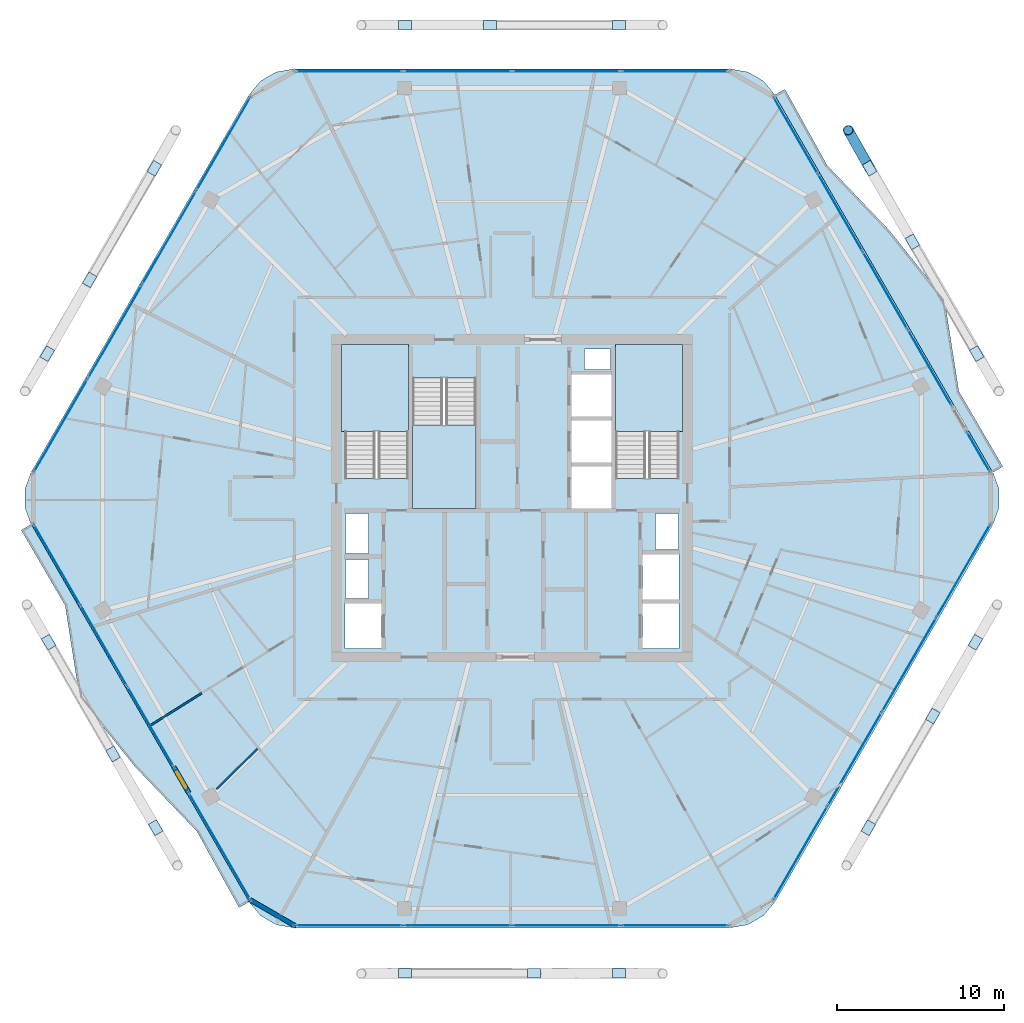
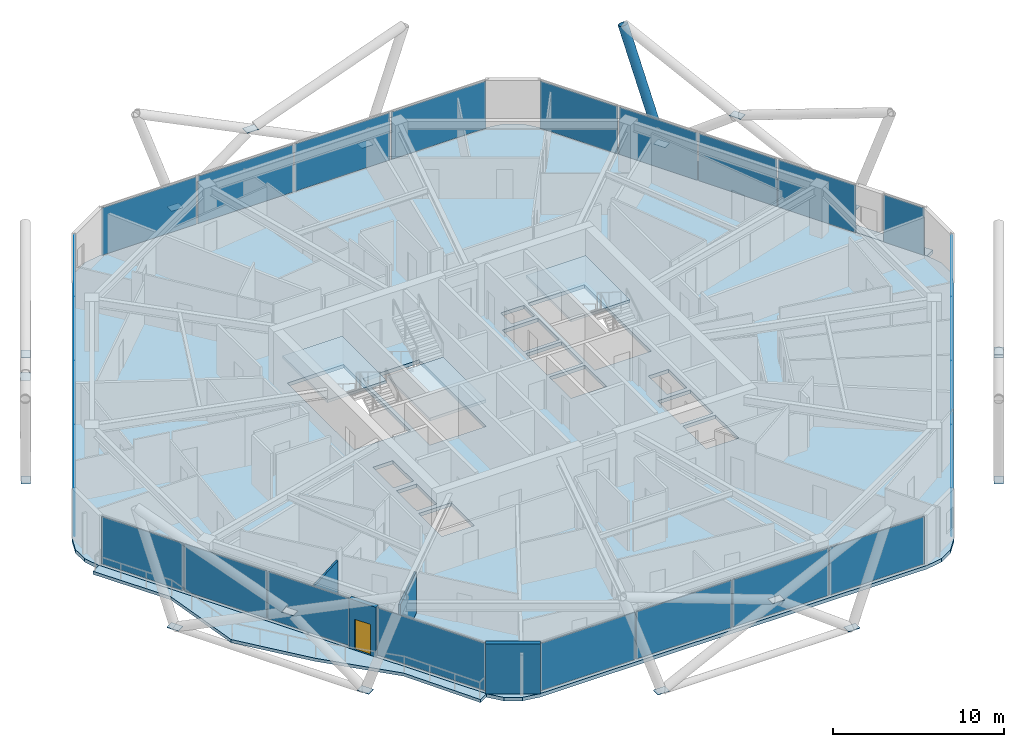
# One storey, part 19 of 28: 43 plates, 6 slabs, 4 walls, 1 door, 1 member, 1 opening, 11 elements without a shape of their own.
"""IFC4 building model written with IfcOpenShell, lengths in metres."""

from ifc_helpers import new_model, si_unit, direction, frame, frame_2d, origin, origin_2d, place, context, subcontext, project, spatial, polyline, rectangle, hollow_circle, outline, extrude, material, layer, layer_set, material_profile, profile_set, type_object, element, fill, aggregate, save


model = new_model("IFC4")

# Units and contexts
model_context = context("Model", 3, precision=1e-05, world=origin(), true_north=direction((0.0, 1.0)))
body_context = subcontext(model_context, "Body", "Model", "MODEL_VIEW")
ifc_project = project(units=[si_unit("LENGTHUNIT", "METRE"), si_unit("AREAUNIT", "SQUARE_METRE"), si_unit("VOLUMEUNIT", "CUBIC_METRE"), si_unit("PLANEANGLEUNIT", "RADIAN"), si_unit("MASSUNIT", "GRAM", prefix="KILO")], contexts=[model_context])

# Site, building, storey
site_placement = place(None, origin())
site = spatial("IfcSite", under=ifc_project, at=site_placement, CompositionType="ELEMENT")
building_placement = place(site_placement, origin())
building = spatial("IfcBuilding", under=site, at=building_placement, Name="Zuhravey Tower", CompositionType="ELEMENT")
storey_placement = place(building_placement, frame((0.0, 0.0, 284.39990234375)))
storey = spatial("IfcBuildingStorey", under=building, at=storey_placement, Name="L72", CompositionType="ELEMENT", Elevation=284.39990234375)

# Member
ifc_material_1 = material(Name="Steel SM355", Category="steel")
ifc_material_profile = material_profile(ifc_material_1, hollow_circle(Radius=0.3046875, WallThickness=0.028076171875, at=origin_2d()), Name="CHS-609.6x28")
ifc_profile_set = profile_set([ifc_material_profile], Name="Steel SM355")
member_type = type_object("IfcMemberType", Name="Exoskeleton Zone 3 Diagrid CHS610x28", PredefinedType="BRACE", material=ifc_profile_set)
member_placement = place(storey_placement, frame((57.400146484375, 51.761474609375, -0.44580078125), z_axis=(-0.159825149173, 0.284225136416, 0.945342262634), x_axis=(-0.871643002203, -0.490141282398, 0.0)))
element("IfcMember", 1, at=member_placement, inside=storey, type_object=member_type, Name="L72 Face 1 Diagrid Brace 4", PredefinedType="BRACE", context=body_context, shape_type="SweptSolid", body=[
    extrude(hollow_circle(Radius=0.3046875, WallThickness=0.028076171875, at=origin_2d()), origin(), (0.0, 0.0, 1.0), 8.001220703125),
])

# Plates
ifc_material_2 = material(Name="Steel SM460", Category="steel")
ifc_layer_1 = layer(ifc_material_2, 0.031982421875)
ifc_layer_set_1 = layer_set([ifc_layer_1], Name="Steel SM460")
plate_type_1 = type_object("IfcPlateType", Name="Exoskeleton Zone 3 Node Plate ND3", PredefinedType="SHEET", material=ifc_layer_set_1)
for number, where, z_axis, x_axis, name in (
    (2, (63.810791015625, 40.65771484375, -0.47998046875), (0.0, 0.0, 1.0), (-0.5, 0.866025403784, 0.0), "L72 Exoskeleton Node Gusset L72-01"),
    (3, (57.403076171875, 51.756103515625, -0.47998046875), (0.0, 0.0, 1.0), (-0.5, 0.866025403784, 0.0), "L72 Exoskeleton Node Gusset L72-02"),
    (4, (42.40771484375, 60.323486328125, -0.47998046875), (0.0, 0.0, 1.0), (-1.0, 0.0, 0.0), "L72 Exoskeleton Node Gusset L72-03"),
    (5, (29.59228515625, 60.323486328125, -0.47998046875), (0.0, 0.0, 1.0), (-1.0, 0.0, 0.0), "L72 Exoskeleton Node Gusset L72-04"),
    (6, (14.596923828125, 51.756103515625, -0.47998046875), (0.0, 0.0, 1.0), (-0.5, -0.866025403784, 0.0), "L72 Exoskeleton Node Gusset L72-05"),
    (7, (8.189208984375, 40.65771484375, -0.47998046875), (0.0, 0.0, 1.0), (-0.5, -0.866025403784, 0.0), "L72 Exoskeleton Node Gusset L72-06"),
    (8, (8.26708984375, 23.387451171875, -0.47998046875), (0.0, 0.0, 1.0), (0.5, -0.866025403784, 0.0), "L72 Exoskeleton Node Gusset L72-07"),
    (9, (14.6748046875, 12.2890625, -0.47998046875), (0.0, 0.0, 1.0), (0.5, -0.866025403784, 0.0), "L72 Exoskeleton Node Gusset L72-08"),
    (10, (29.59228515625, 3.58642578125, -0.47998046875), (0.0, 0.0, 1.0), (1.0, 0.0, 0.0), "L72 Exoskeleton Node Gusset L72-09"),
    (11, (42.40771484375, 3.58642578125, -0.47998046875), (0.0, 0.0, 1.0), (1.0, 0.0, 0.0), "L72 Exoskeleton Node Gusset L72-10"),
    (12, (57.3251953125, 12.2890625, -0.47998046875), (0.0, 0.0, 1.0), (0.5, 0.866025403784, 0.0), "L72 Exoskeleton Node Gusset L72-11"),
    (13, (63.73291015625, 23.387451171875, -0.47998046875), (0.0, 0.0, 1.0), (0.5, 0.866025403784, 0.0), "L72 Exoskeleton Node Gusset L72-12"),
    (14, (59.964599609375, 47.349365234375, 3.3203125), (0.0, 0.0, 1.0), (-0.5, 0.866025403784, 0.0), "L72 Face 1 Diagrid X-Crossing Plate"),
    (15, (34.689208984375, 60.323486328125, 3.3203125), (0.0, 0.0, 1.0), (-1.0, 0.0, 0.0), "L72 Face 2 Diagrid X-Crossing Plate"),
    (16, (10.724853515625, 45.079345703125, 3.3203125), (0.0, 0.0, 1.0), (-0.5, -0.866025403784, 0.0), "L72 Face 3 Diagrid X-Crossing Plate"),
    (17, (12.12646484375, 16.703125, 3.3203125), (0.0, 0.0, 1.0), (0.5, -0.866025403784, 0.0), "L72 Face 4 Diagrid X-Crossing Plate"),
    (18, (37.310791015625, 3.5712890625, 3.3203125), (0.0, 0.0, 1.0), (1.0, 0.0, 0.0), "L72 Face 5 Diagrid X-Crossing Plate"),
    (19, (61.184326171875, 18.973388671875, 3.3203125), (0.0, 0.0, 1.0), (0.5, 0.866025403784, 0.0), "L72 Face 6 Diagrid X-Crossing Plate"),
):
    element("IfcPlate", number, at=place(storey_placement, frame(where, z_axis=z_axis, x_axis=x_axis)), inside=storey, type_object=plate_type_1, Name=name, PredefinedType="SHEET", context=body_context, shape_type="SweptSolid", body=[
        extrude(rectangle(XDim=0.780029296875, YDim=0.56005859375, at=origin_2d()), origin(), (0.0, 0.0, 1.0), 0.031982421875),
    ])

# Slabs
ifc_material_3 = material(Name="Concrete C50/60", Category="concrete")
ifc_layer_2 = layer(ifc_material_3, 0.25)
ifc_layer_set_2 = layer_set([ifc_layer_2], Name="Concrete C50/60")
slab_type_1 = type_object("IfcSlabType", Name="Residential Acoustic Slab 250", PredefinedType="FLOOR", material=ifc_layer_set_2)
slab_1_placement = place(storey_placement, frame((0.0, 0.0, -0.25)))
element("IfcSlab", 20, at=slab_1_placement, inside=storey, type_object=slab_type_1, Name="L72 Floor Slab FS25", PredefinedType="FLOOR", context=body_context, shape_type="SweptSolid", body=[
    extrude(outline(polyline([(64.78515625, 30.449951171875), (65.1533203125, 31.461669921875), (65.1533203125, 32.538330078125), (64.78515625, 33.550048828125), (51.73486328125, 56.153564453125), (51.04296875, 56.978515625), (50.110595703125, 57.5166015625), (49.05029296875, 57.70361328125), (22.94970703125, 57.70361328125), (21.889404296875, 57.5166015625), (20.95703125, 56.978515625), (20.26513671875, 56.153564453125), (7.21484375, 33.550048828125), (6.8466796875, 32.538330078125), (6.8466796875, 31.461669921875), (7.21484375, 30.449951171875), (20.26513671875, 7.846435546875), (20.95703125, 7.021484375), (21.889404296875, 6.4833984375), (22.94970703125, 6.29638671875), (49.05029296875, 6.29638671875), (50.110595703125, 6.4833984375), (51.04296875, 7.021484375), (51.73486328125, 7.846435546875), (64.78515625, 30.449951171875)]), holes=[polyline([(29.800048828125, 33.20068359375), (29.800048828125, 41.0), (26.0, 41.0), (26.0, 33.20068359375), (29.800048828125, 33.20068359375)]), polyline([(46.0, 33.20068359375), (46.0, 41.0), (42.199951171875, 41.0), (42.199951171875, 33.20068359375), (46.0, 33.20068359375)]), polyline([(30.050048828125, 39.199462890625), (30.050048828125, 31.39990234375), (33.85009765625, 31.39990234375), (33.85009765625, 39.199462890625), (30.050048828125, 39.199462890625)]), polyline([(39.550048828125, 31.39990234375), (41.949951171875, 31.39990234375), (41.949951171875, 33.89990234375), (39.550048828125, 33.89990234375), (39.550048828125, 31.39990234375)]), polyline([(39.550048828125, 34.14990234375), (41.949951171875, 34.14990234375), (41.949951171875, 36.64990234375), (39.550048828125, 36.64990234375), (39.550048828125, 34.14990234375)]), polyline([(39.550048828125, 36.89990234375), (41.949951171875, 36.89990234375), (41.949951171875, 39.39990234375), (39.550048828125, 39.39990234375), (39.550048828125, 36.89990234375)]), polyline([(26.0, 23.0), (28.199951171875, 23.0), (28.199951171875, 25.699951171875), (26.0, 25.699951171875), (26.0, 23.0)]), polyline([(43.800048828125, 23.0), (46.0, 23.0), (46.0, 25.699951171875), (43.800048828125, 25.699951171875), (43.800048828125, 23.0)]), polyline([(43.800048828125, 25.949951171875), (46.0, 25.949951171875), (46.0, 28.64990234375), (43.800048828125, 28.64990234375), (43.800048828125, 25.949951171875)]), polyline([(26.050048828125, 26.0), (27.39990234375, 26.0), (27.39990234375, 28.35009765625), (26.050048828125, 28.35009765625), (26.050048828125, 26.0)]), polyline([(26.050048828125, 28.699951171875), (27.39990234375, 28.699951171875), (27.39990234375, 31.10009765625), (26.050048828125, 31.10009765625), (26.050048828125, 28.699951171875)]), polyline([(44.60009765625, 28.949951171875), (45.949951171875, 28.949951171875), (45.949951171875, 31.10009765625), (44.60009765625, 31.10009765625), (44.60009765625, 28.949951171875)]), polyline([(40.35009765625, 39.699951171875), (41.89990234375, 39.699951171875), (41.89990234375, 40.949951171875), (40.35009765625, 40.949951171875), (40.35009765625, 39.699951171875)])]), origin(), (0.0, 0.0, 1.0), 0.25),
])
ifc_material_4 = material(Name="Concrete C40/50", Category="concrete")
ifc_layer_3 = layer(ifc_material_4, 0.219970703125)
ifc_layer_set_3 = layer_set([ifc_layer_3], Name="Concrete C40/50")
slab_type_2 = type_object("IfcSlabType", Name="Sinusoidal Residential Wave Balcony 220", PredefinedType="FLOOR", material=ifc_layer_set_3)
slab_2_placement = place(storey_placement, frame((0.0, 0.0, -0.219970703125)))
element("IfcSlab", 21, at=slab_2_placement, inside=storey, type_object=slab_type_2, Name="L72 Face 1 Wave Balcony WB22", PredefinedType="FLOOR", context=body_context, shape_type="SweptSolid", body=[
    extrude(outline(polyline([(64.767822265625, 33.550048828125), (51.726318359375, 56.138671875), (52.33251953125, 56.488525390625), (54.86083984375, 51.9248046875), (58.572509765625, 48.0439453125), (61.875244140625, 43.92724609375), (62.74169921875, 38.40380859375), (65.3740234375, 33.89990234375), (64.767822265625, 33.550048828125)])), origin(), (0.0, 0.0, 1.0), 0.219970703125),
])
slab_3_placement = place(storey_placement, frame((0.0, 0.0, -0.219970703125)))
element("IfcSlab", 22, at=slab_3_placement, inside=storey, type_object=slab_type_2, Name="L72 Face 4 Wave Balcony WB22", PredefinedType="FLOOR", context=body_context, shape_type="SweptSolid", body=[
    extrude(outline(polyline([(7.232177734375, 30.449951171875), (20.273681640625, 7.861328125), (19.66748046875, 7.511474609375), (17.13916015625, 12.0751953125), (13.427490234375, 15.9560546875), (10.124755859375, 20.07275390625), (9.25830078125, 25.59619140625), (6.6259765625, 30.10009765625), (7.232177734375, 30.449951171875)])), origin(), (0.0, 0.0, 1.0), 0.219970703125),
])

# Stair, slab
stair_type = type_object("IfcStairType", Name="Housing Storey Stair Assembly 3800", PredefinedType="HALF_TURN_STAIR", material=ifc_material_4)
stair_1_placement = place(storey_placement, origin())
stair_1 = element("IfcStair", 23, at=stair_1_placement, inside=storey, type_object=stair_type, Name="L72 Core Exit Stair ST1", PredefinedType="HALF_TURN_STAIR")
ifc_layer_4 = layer(ifc_material_4, 0.199951171875)
ifc_layer_set_4 = layer_set([ifc_layer_4], Name="Concrete C40/50")
slab_type_3 = type_object("IfcSlabType", Name="Stair Landing Slab 200", PredefinedType="LANDING", material=ifc_layer_set_4)
slab_4_placement = place(storey_placement, frame((0.0, 0.0, 1.7001953125)))
slab_4 = element("IfcSlab", 24, at=slab_4_placement, type_object=slab_type_3, Name="ST1 landing 1", PredefinedType="LANDING", context=body_context, shape_type="SweptSolid", body=[
    extrude(outline(polyline([(29.800048828125, 36.0), (29.800048828125, 41.197998046875), (25.802001953125, 41.197998046875), (25.802001953125, 36.0), (29.800048828125, 36.0)])), origin(), (0.0, 0.0, 1.0), 0.199951171875),
])
aggregate(stair_1, [slab_4])

stair_2_placement = place(storey_placement, origin())
stair_2 = element("IfcStair", 25, at=stair_2_placement, inside=storey, type_object=stair_type, Name="L72 Core Exit Stair ST2", PredefinedType="HALF_TURN_STAIR")
slab_5_placement = place(storey_placement, frame((0.0, 0.0, 1.7001953125)))
slab_5 = element("IfcSlab", 26, at=slab_5_placement, type_object=slab_type_3, Name="ST2 landing 1", PredefinedType="LANDING", context=body_context, shape_type="SweptSolid", body=[
    extrude(outline(polyline([(46.197998046875, 36.0), (46.197998046875, 41.197998046875), (42.199951171875, 41.197998046875), (42.199951171875, 36.0), (46.197998046875, 36.0)])), origin(), (0.0, 0.0, 1.0), 0.199951171875),
])
aggregate(stair_2, [slab_5])

stair_3_placement = place(storey_placement, origin())
stair_3 = element("IfcStair", 27, at=stair_3_placement, inside=storey, type_object=stair_type, Name="L72 Core Exit Stair ST3", PredefinedType="HALF_TURN_STAIR")
slab_6_placement = place(storey_placement, frame((0.0, 0.0, 1.7001953125)))
slab_6 = element("IfcSlab", 28, at=slab_6_placement, type_object=slab_type_3, Name="ST3 landing 1", PredefinedType="LANDING", context=body_context, shape_type="SweptSolid", body=[
    extrude(outline(polyline([(30.050048828125, 36.39990234375), (30.050048828125, 31.39990234375), (33.85009765625, 31.39990234375), (33.85009765625, 36.39990234375), (30.050048828125, 36.39990234375)])), origin(), (0.0, 0.0, 1.0), 0.199951171875),
])
aggregate(stair_3, [slab_6])

# Curtain wall, plates
ifc_material_5 = material(Name="Thermally broken anodised aluminium", Category="aluminium")
curtain_wall_type = type_object("IfcCurtainWallType", Name="Zone 3-4 High-Rise Curtain Wall CW4", PredefinedType="NOTDEFINED", material=ifc_material_5)
curtain_wall_1_placement = place(storey_placement, origin())
curtain_wall_1 = element("IfcCurtainWall", 29, at=curtain_wall_1_placement, inside=storey, type_object=curtain_wall_type, Name="L72 CW4 CW-L72-F6-1", PredefinedType="NOTDEFINED")
ifc_material_6 = material(Name="Triple low-E insulated vision glass", Category="glass")
ifc_layer_5 = layer(ifc_material_6, 0.0419921875)
ifc_layer_set_5 = layer_set([ifc_layer_5], Name="Triple low-E insulated vision glass")
plate_type_2 = type_object("IfcPlateType", Name="Triple Low-E Vision Panel", PredefinedType="CURTAIN_PANEL", material=ifc_layer_set_5)
plate_1_placement = place(storey_placement, frame((63.00732421875, 27.650634765625, 0.090087890625), z_axis=(0.0, 0.0, 1.0), x_axis=(-0.500000957414, -0.866024851021, 0.0)))
plate_1 = element("IfcPlate", 30, at=plate_1_placement, type_object=plate_type_2, Name="CW4 panel 1.1", PredefinedType="CURTAIN_PANEL", context=body_context, shape_type="SweptSolid", body=[
    extrude(rectangle(XDim=6.371337890625, YDim=0.0419921875, at=origin_2d()), origin(), (0.0, 0.0, 1.0), 3.3701171875),
])
plate_2_placement = place(storey_placement, frame((59.765380859375, 22.03564453125, 0.090087890625), z_axis=(0.0, 0.0, 1.0), x_axis=(-0.500000957414, -0.866024851021, 0.0)))
plate_2 = element("IfcPlate", 31, at=plate_2_placement, type_object=plate_type_2, Name="CW4 panel 2.1", PredefinedType="CURTAIN_PANEL", context=body_context, shape_type="SweptSolid", body=[
    extrude(rectangle(XDim=6.416259765625, YDim=0.0419921875, at=origin_2d()), origin(), (0.0, 0.0, 1.0), 3.3701171875),
])
plate_3_placement = place(storey_placement, frame((56.51220703125, 16.40087890625, 0.090087890625), z_axis=(0.0, 0.0, 1.0), x_axis=(-0.500000957414, -0.866024851021, 0.0)))
plate_3 = element("IfcPlate", 32, at=plate_3_placement, type_object=plate_type_2, Name="CW4 panel 3.1", PredefinedType="CURTAIN_PANEL", context=body_context, shape_type="SweptSolid", body=[
    extrude(rectangle(XDim=6.416259765625, YDim=0.0419921875, at=origin_2d()), origin(), (0.0, 0.0, 1.0), 3.3701171875),
])
plate_4_placement = place(storey_placement, frame((53.270263671875, 10.78564453125, 0.090087890625), z_axis=(0.0, 0.0, 1.0), x_axis=(-0.500000957414, -0.866024851021, 0.0)))
plate_4 = element("IfcPlate", 33, at=plate_4_placement, type_object=plate_type_2, Name="CW4 panel 4.1", PredefinedType="CURTAIN_PANEL", context=body_context, shape_type="SweptSolid", body=[
    extrude(rectangle(XDim=6.371337890625, YDim=0.0419921875, at=origin_2d()), origin(), (0.0, 0.0, 1.0), 3.3701171875),
])
aggregate(curtain_wall_1, [plate_1, plate_2, plate_3, plate_4])

curtain_wall_2_placement = place(storey_placement, origin())
curtain_wall_2 = element("IfcCurtainWall", 34, at=curtain_wall_2_placement, inside=storey, type_object=curtain_wall_type, Name="L72 CW4 CW-L72-F5-1", PredefinedType="NOTDEFINED")
plate_5_placement = place(storey_placement, frame((45.737060546875, 6.436279296875, 0.090087890625), z_axis=(0.0, 0.0, 1.0), x_axis=(-1.0, 0.0, 0.0)))
plate_5 = element("IfcPlate", 35, at=plate_5_placement, type_object=plate_type_2, Name="CW4 panel 1.1", PredefinedType="CURTAIN_PANEL", context=body_context, shape_type="SweptSolid", body=[
    extrude(rectangle(XDim=6.371337890625, YDim=0.0419921875, at=origin_2d()), origin(), (0.0, 0.0, 1.0), 3.3701171875),
])
plate_6_placement = place(storey_placement, frame((39.253173828125, 6.436279296875, 0.090087890625), z_axis=(0.0, 0.0, 1.0), x_axis=(-1.0, 0.0, 0.0)))
plate_6 = element("IfcPlate", 36, at=plate_6_placement, type_object=plate_type_2, Name="CW4 panel 2.1", PredefinedType="CURTAIN_PANEL", context=body_context, shape_type="SweptSolid", body=[
    extrude(rectangle(XDim=6.416259765625, YDim=0.0419921875, at=origin_2d()), origin(), (0.0, 0.0, 1.0), 3.3701171875),
])
plate_7_placement = place(storey_placement, frame((32.746826171875, 6.436279296875, 0.090087890625), z_axis=(0.0, 0.0, 1.0), x_axis=(-1.0, 0.0, 0.0)))
plate_7 = element("IfcPlate", 37, at=plate_7_placement, type_object=plate_type_2, Name="CW4 panel 3.1", PredefinedType="CURTAIN_PANEL", context=body_context, shape_type="SweptSolid", body=[
    extrude(rectangle(XDim=6.416259765625, YDim=0.0419921875, at=origin_2d()), origin(), (0.0, 0.0, 1.0), 3.3701171875),
])
plate_8_placement = place(storey_placement, frame((26.262939453125, 6.436279296875, 0.090087890625), z_axis=(0.0, 0.0, 1.0), x_axis=(-1.0, 0.0, 0.0)))
plate_8 = element("IfcPlate", 38, at=plate_8_placement, type_object=plate_type_2, Name="CW4 panel 4.1", PredefinedType="CURTAIN_PANEL", context=body_context, shape_type="SweptSolid", body=[
    extrude(rectangle(XDim=6.371337890625, YDim=0.0419921875, at=origin_2d()), origin(), (0.0, 0.0, 1.0), 3.3701171875),
])
aggregate(curtain_wall_2, [plate_5, plate_6, plate_7, plate_8])

# Curtain wall, plate
curtain_wall_3_placement = place(storey_placement, origin())
curtain_wall_3 = element("IfcCurtainWall", 39, at=curtain_wall_3_placement, inside=storey, type_object=curtain_wall_type, Name="L72 CW4 CW-L72-F4-1", PredefinedType="NOTDEFINED")
plate_9_placement = place(storey_placement, frame((18.50244140625, 11.17919921875, 0.090087890625), z_axis=(0.0, 0.0, 1.0), x_axis=(-0.50000712297, 0.866021291297, 0.0)))
plate_9 = element("IfcPlate", 40, at=plate_9_placement, type_object=plate_type_2, Name="CW4 panel 1.1", PredefinedType="CURTAIN_PANEL", context=body_context, shape_type="SweptSolid", body=[
    extrude(rectangle(XDim=7.280029296875, YDim=0.0419921875, at=origin_2d()), origin(), (0.0, 0.0, 1.0), 3.3701171875),
])
aggregate(curtain_wall_3, [plate_9])

# Curtain wall, plates
curtain_wall_4_placement = place(storey_placement, origin())
curtain_wall_4 = element("IfcCurtainWall", 41, at=curtain_wall_4_placement, inside=storey, type_object=curtain_wall_type, Name="L72 CW4 CW-L72-F4-2", PredefinedType="NOTDEFINED")
plate_10_placement = place(storey_placement, frame((14.370849609375, 18.33544921875, 0.090087890625), z_axis=(0.0, 0.0, 1.0), x_axis=(-0.499999785352, 0.866025527712, 0.0)))
plate_10 = element("IfcPlate", 42, at=plate_10_placement, type_object=plate_type_2, Name="CW4 panel 1.1", PredefinedType="CURTAIN_PANEL", context=body_context, shape_type="SweptSolid", body=[
    extrude(rectangle(XDim=5.48681640625, YDim=0.0419921875, at=origin_2d()), origin(), (0.0, 0.0, 1.0), 3.3701171875),
])
plate_11_placement = place(storey_placement, frame((11.5712890625, 23.1845703125, 0.090087890625), z_axis=(0.0, 0.0, 1.0), x_axis=(-0.499999785352, 0.866025527712, 0.0)))
plate_11 = element("IfcPlate", 43, at=plate_11_placement, type_object=plate_type_2, Name="CW4 panel 2.1", PredefinedType="CURTAIN_PANEL", context=body_context, shape_type="SweptSolid", body=[
    extrude(rectangle(XDim=5.53173828125, YDim=0.0419921875, at=origin_2d()), origin(), (0.0, 0.0, 1.0), 3.3701171875),
])
plate_12_placement = place(storey_placement, frame((8.771484375, 28.03369140625, 0.090087890625), z_axis=(0.0, 0.0, 1.0), x_axis=(-0.499999785352, 0.866025527712, 0.0)))
plate_12 = element("IfcPlate", 44, at=plate_12_placement, type_object=plate_type_2, Name="CW4 panel 3.1", PredefinedType="CURTAIN_PANEL", context=body_context, shape_type="SweptSolid", body=[
    extrude(rectangle(XDim=5.48681640625, YDim=0.0419921875, at=origin_2d()), origin(), (0.0, 0.0, 1.0), 3.3701171875),
])
aggregate(curtain_wall_4, [plate_10, plate_11, plate_12])

curtain_wall_5_placement = place(storey_placement, origin())
curtain_wall_5 = element("IfcCurtainWall", 45, at=curtain_wall_5_placement, inside=storey, type_object=curtain_wall_type, Name="L72 CW4 CW-L72-F3-1", PredefinedType="NOTDEFINED")
plate_13_placement = place(storey_placement, frame((8.99267578125, 36.349365234375, 0.090087890625), z_axis=(0.0, 0.0, 1.0), x_axis=(0.500000957414, 0.866024851021, 0.0)))
plate_13 = element("IfcPlate", 46, at=plate_13_placement, type_object=plate_type_2, Name="CW4 panel 1.1", PredefinedType="CURTAIN_PANEL", context=body_context, shape_type="SweptSolid", body=[
    extrude(rectangle(XDim=6.371337890625, YDim=0.0419921875, at=origin_2d()), origin(), (0.0, 0.0, 1.0), 3.3701171875),
])
plate_14_placement = place(storey_placement, frame((12.234619140625, 41.96435546875, 0.090087890625), z_axis=(0.0, 0.0, 1.0), x_axis=(0.500000957414, 0.866024851021, 0.0)))
plate_14 = element("IfcPlate", 47, at=plate_14_placement, type_object=plate_type_2, Name="CW4 panel 2.1", PredefinedType="CURTAIN_PANEL", context=body_context, shape_type="SweptSolid", body=[
    extrude(rectangle(XDim=6.416259765625, YDim=0.0419921875, at=origin_2d()), origin(), (0.0, 0.0, 1.0), 3.3701171875),
])
plate_15_placement = place(storey_placement, frame((15.48779296875, 47.59912109375, 0.090087890625), z_axis=(0.0, 0.0, 1.0), x_axis=(0.500000957414, 0.866024851021, 0.0)))
plate_15 = element("IfcPlate", 48, at=plate_15_placement, type_object=plate_type_2, Name="CW4 panel 3.1", PredefinedType="CURTAIN_PANEL", context=body_context, shape_type="SweptSolid", body=[
    extrude(rectangle(XDim=6.416259765625, YDim=0.0419921875, at=origin_2d()), origin(), (0.0, 0.0, 1.0), 3.3701171875),
])
plate_16_placement = place(storey_placement, frame((18.729736328125, 53.21435546875, 0.090087890625), z_axis=(0.0, 0.0, 1.0), x_axis=(0.500000957414, 0.866024851021, 0.0)))
plate_16 = element("IfcPlate", 49, at=plate_16_placement, type_object=plate_type_2, Name="CW4 panel 4.1", PredefinedType="CURTAIN_PANEL", context=body_context, shape_type="SweptSolid", body=[
    extrude(rectangle(XDim=6.371337890625, YDim=0.0419921875, at=origin_2d()), origin(), (0.0, 0.0, 1.0), 3.3701171875),
])
aggregate(curtain_wall_5, [plate_13, plate_14, plate_15, plate_16])

curtain_wall_6_placement = place(storey_placement, origin())
curtain_wall_6 = element("IfcCurtainWall", 50, at=curtain_wall_6_placement, inside=storey, type_object=curtain_wall_type, Name="L72 CW4 CW-L72-F2-1", PredefinedType="NOTDEFINED")
plate_17_placement = place(storey_placement, frame((26.262939453125, 57.563720703125, 0.090087890625), z_axis=(0.0, 0.0, 1.0), x_axis=(1.0, 0.0, 0.0)))
plate_17 = element("IfcPlate", 51, at=plate_17_placement, type_object=plate_type_2, Name="CW4 panel 1.1", PredefinedType="CURTAIN_PANEL", context=body_context, shape_type="SweptSolid", body=[
    extrude(rectangle(XDim=6.371337890625, YDim=0.0419921875, at=origin_2d()), origin(), (0.0, 0.0, 1.0), 3.3701171875),
])
plate_18_placement = place(storey_placement, frame((32.746826171875, 57.563720703125, 0.090087890625), z_axis=(0.0, 0.0, 1.0), x_axis=(1.0, 0.0, 0.0)))
plate_18 = element("IfcPlate", 52, at=plate_18_placement, type_object=plate_type_2, Name="CW4 panel 2.1", PredefinedType="CURTAIN_PANEL", context=body_context, shape_type="SweptSolid", body=[
    extrude(rectangle(XDim=6.416259765625, YDim=0.0419921875, at=origin_2d()), origin(), (0.0, 0.0, 1.0), 3.3701171875),
])
plate_19_placement = place(storey_placement, frame((39.253173828125, 57.563720703125, 0.090087890625), z_axis=(0.0, 0.0, 1.0), x_axis=(1.0, 0.0, 0.0)))
plate_19 = element("IfcPlate", 53, at=plate_19_placement, type_object=plate_type_2, Name="CW4 panel 3.1", PredefinedType="CURTAIN_PANEL", context=body_context, shape_type="SweptSolid", body=[
    extrude(rectangle(XDim=6.416259765625, YDim=0.0419921875, at=origin_2d()), origin(), (0.0, 0.0, 1.0), 3.3701171875),
])
plate_20_placement = place(storey_placement, frame((45.737060546875, 57.563720703125, 0.090087890625), z_axis=(0.0, 0.0, 1.0), x_axis=(1.0, 0.0, 0.0)))
plate_20 = element("IfcPlate", 54, at=plate_20_placement, type_object=plate_type_2, Name="CW4 panel 4.1", PredefinedType="CURTAIN_PANEL", context=body_context, shape_type="SweptSolid", body=[
    extrude(rectangle(XDim=6.371337890625, YDim=0.0419921875, at=origin_2d()), origin(), (0.0, 0.0, 1.0), 3.3701171875),
])
aggregate(curtain_wall_6, [plate_17, plate_18, plate_19, plate_20])

curtain_wall_7_placement = place(storey_placement, origin())
curtain_wall_7 = element("IfcCurtainWall", 55, at=curtain_wall_7_placement, inside=storey, type_object=curtain_wall_type, Name="L72 CW4 CW-L72-F1-1", PredefinedType="NOTDEFINED")
plate_21_placement = place(storey_placement, frame((52.983154296875, 53.711669921875, 0.090087890625), z_axis=(0.0, 0.0, 1.0), x_axis=(0.500000744307, -0.866024974058, 0.0)))
plate_21 = element("IfcPlate", 56, at=plate_21_placement, type_object=plate_type_2, Name="CW4 panel 1.1", PredefinedType="CURTAIN_PANEL", context=body_context, shape_type="SweptSolid", body=[
    extrude(rectangle(XDim=5.222900390625, YDim=0.0419921875, at=origin_2d()), origin(), (0.0, 0.0, 1.0), 3.3701171875),
])
plate_22_placement = place(storey_placement, frame((55.65087890625, 49.091064453125, 0.090087890625), z_axis=(0.0, 0.0, 1.0), x_axis=(0.500000744307, -0.866024974058, 0.0)))
plate_22 = element("IfcPlate", 57, at=plate_22_placement, type_object=plate_type_2, Name="CW4 panel 2.1", PredefinedType="CURTAIN_PANEL", context=body_context, shape_type="SweptSolid", body=[
    extrude(rectangle(XDim=5.267822265625, YDim=0.0419921875, at=origin_2d()), origin(), (0.0, 0.0, 1.0), 3.3701171875),
])
plate_23_placement = place(storey_placement, frame((58.329833984375, 44.450927734375, 0.090087890625), z_axis=(0.0, 0.0, 1.0), x_axis=(0.500000744307, -0.866024974058, 0.0)))
plate_23 = element("IfcPlate", 58, at=plate_23_placement, type_object=plate_type_2, Name="CW4 panel 3.1", PredefinedType="CURTAIN_PANEL", context=body_context, shape_type="SweptSolid", body=[
    extrude(rectangle(XDim=5.267822265625, YDim=0.0419921875, at=origin_2d()), origin(), (0.0, 0.0, 1.0), 3.3701171875),
])
plate_24_placement = place(storey_placement, frame((60.997314453125, 39.83056640625, 0.090087890625), z_axis=(0.0, 0.0, 1.0), x_axis=(0.500000744307, -0.866024974058, 0.0)))
plate_24 = element("IfcPlate", 59, at=plate_24_placement, type_object=plate_type_2, Name="CW4 panel 4.1", PredefinedType="CURTAIN_PANEL", context=body_context, shape_type="SweptSolid", body=[
    extrude(rectangle(XDim=5.222900390625, YDim=0.0419921875, at=origin_2d()), origin(), (0.0, 0.0, 1.0), 3.3701171875),
])
aggregate(curtain_wall_7, [plate_21, plate_22, plate_23, plate_24])

# Curtain wall, plate
curtain_wall_8_placement = place(storey_placement, origin())
curtain_wall_8 = element("IfcCurtainWall", 60, at=curtain_wall_8_placement, inside=storey, type_object=curtain_wall_type, Name="L72 CW4 CW-L72-F1-2", PredefinedType="NOTDEFINED")
plate_25_placement = place(storey_placement, frame((63.921630859375, 34.765625, 0.090087890625), z_axis=(0.0, 0.0, 1.0), x_axis=(0.500011598885, -0.866018707062, 0.0)))
plate_25 = element("IfcPlate", 61, at=plate_25_placement, type_object=plate_type_2, Name="CW4 panel 1.1", PredefinedType="CURTAIN_PANEL", context=body_context, shape_type="SweptSolid", body=[
    extrude(rectangle(XDim=2.7138671875, YDim=0.0419921875, at=origin_2d()), origin(), (0.0, 0.0, 1.0), 3.3701171875),
])
aggregate(curtain_wall_8, [plate_25])

# Wall
ifc_material_7 = material(Name="Precast concrete C40/50", Category="concrete")
ifc_layer_6 = layer(ifc_material_7, 0.280029296875)
ifc_layer_set_6 = layer_set([ifc_layer_6], Name="Precast concrete C40/50")
wall_type_1 = type_object("IfcWallType", Name="Crown Architectural Wall 280", PredefinedType="SOLIDWALL", material=ifc_layer_set_6)
wall_1_placement = place(storey_placement, frame((23.069580078125, 6.388916015625, 0.0), z_axis=(0.0, 0.0, 1.0), x_axis=(-0.866028773314, 0.499994163758, 0.0)))
element("IfcWall", 62, at=wall_1_placement, inside=storey, type_object=wall_type_1, Name="L72 Rounded Corner Closure Wall EW28-04", PredefinedType="SOLIDWALL", context=body_context, shape_type="SweptSolid", body=[
    extrude(rectangle(XDim=3.21484375, YDim=0.280029296875, at=frame_2d((1.607421875, 0.0))), origin(), (0.0, 0.0, 1.0), 3.550048828125),
])

# Wall, opening, door
wall_2_placement = place(storey_placement, frame((16.659912109375, 14.37060546875, 0.0), z_axis=(0.0, 0.0, 1.0), x_axis=(-0.499982180423, 0.866035691677, 0.0)))
wall_2 = element("IfcWall", 63, at=wall_2_placement, inside=storey, type_object=wall_type_1, Name="L72 Face 4 Facade Pier EW28-1", PredefinedType="SOLIDWALL", context=body_context, shape_type="SweptSolid", body=[
    extrude(rectangle(XDim=1.7900390625, YDim=0.280029296875, at=frame_2d((0.89501953125, 0.0))), origin(), (0.0, 0.0, 1.0), 3.550048828125),
])
opening_placement = place(wall_2_placement, frame((0.344970703125, 0.0, 0.0)))
opening = element("IfcOpeningElement", 64, at=opening_placement, cuts=wall_2, Name="Opening BLD1", PredefinedType="OPENING", context=body_context, shape_type="SweptSolid", body=[
    extrude(rectangle(XDim=1.10009765625, YDim=2.199951171875, at=frame_2d((0.550048828125, 1.10009765625))), frame((0.0, 0.152099609375, 0.0), z_axis=(0.0, -1.0, 0.0), x_axis=(1.0, 0.0, 0.0)), (0.0, 0.0, 1.0), 0.303955078125),
])
ifc_material_8 = material(Name="Thermally broken aluminium and low-E glass", Category="aluminium")
door_type = type_object("IfcDoorType", Name="Balcony & Sky-Tray Glazed Door 1100x2200", OperationType="NOTDEFINED", PredefinedType="DOOR", material=ifc_material_8)
door_placement = place(opening_placement, frame((1.10009765625, 0.0, 0.0), z_axis=(0.0, 0.0, 1.0), x_axis=(-1.0, 0.0, 0.0)))
door = element("IfcDoor", 65, at=door_placement, inside=storey, type_object=door_type, Name="L72 Face 4 Wave Balcony Door", OperationType="SINGLE_SWING_LEFT", OverallHeight=2.199951171875, OverallWidth=1.10009765625, PredefinedType="DOOR", context=body_context, shape_type="SweptSolid", body=[
    extrude(rectangle(XDim=1.10009765625, YDim=2.199951171875, at=frame_2d((0.550048828125, 1.10009765625))), frame((0.0, 0.02490234375, 0.0), z_axis=(0.0, -1.0, 0.0), x_axis=(1.0, 0.0, 0.0)), (0.0, 0.0, 1.0), 0.050048828125),
])
fill(opening, door)

# Walls
ifc_material_9 = material(Name="Gypsum metal-stud partition")
ifc_layer_7 = layer(ifc_material_9, 0.1201171875)
ifc_layer_set_7 = layer_set([ifc_layer_7], Name="Gypsum metal-stud partition")
wall_type_2 = type_object("IfcWallType", Name="Unit Internal Partition 120", PredefinedType="PARTITIONING", material=ifc_layer_set_7)
wall_3_placement = place(storey_placement, frame((20.767578125, 17.01513671875, 0.0), z_axis=(0.0, 0.0, 1.0), x_axis=(-0.71287305113, -0.701293100617, 0.0)))
element("IfcWall", 66, at=wall_3_placement, inside=storey, type_object=wall_type_2, Name="L72 IW12 Partition 076", PredefinedType="PARTITIONING", context=body_context, shape_type="SweptSolid", body=[
    extrude(rectangle(XDim=3.45751953125, YDim=0.1201171875, at=frame_2d((1.728759765625, 0.0))), origin(), (0.0, 0.0, 1.0), 2.9501953125),
])
wall_4_placement = place(storey_placement, frame((17.427978515625, 20.3408203125, 0.0), z_axis=(0.0, 0.0, 1.0), x_axis=(-0.846935423542, -0.531695766722, 0.0)))
element("IfcWall", 67, at=wall_4_placement, inside=storey, type_object=wall_type_2, Name="L72 IW12 Partition 078", PredefinedType="PARTITIONING", context=body_context, shape_type="SweptSolid", body=[
    extrude(rectangle(XDim=3.65771484375, YDim=0.1201171875, at=frame_2d((1.828857421875, 0.0))), origin(), (0.0, 0.0, 1.0), 2.93017578125),
])

save(model, "model.ifc")
